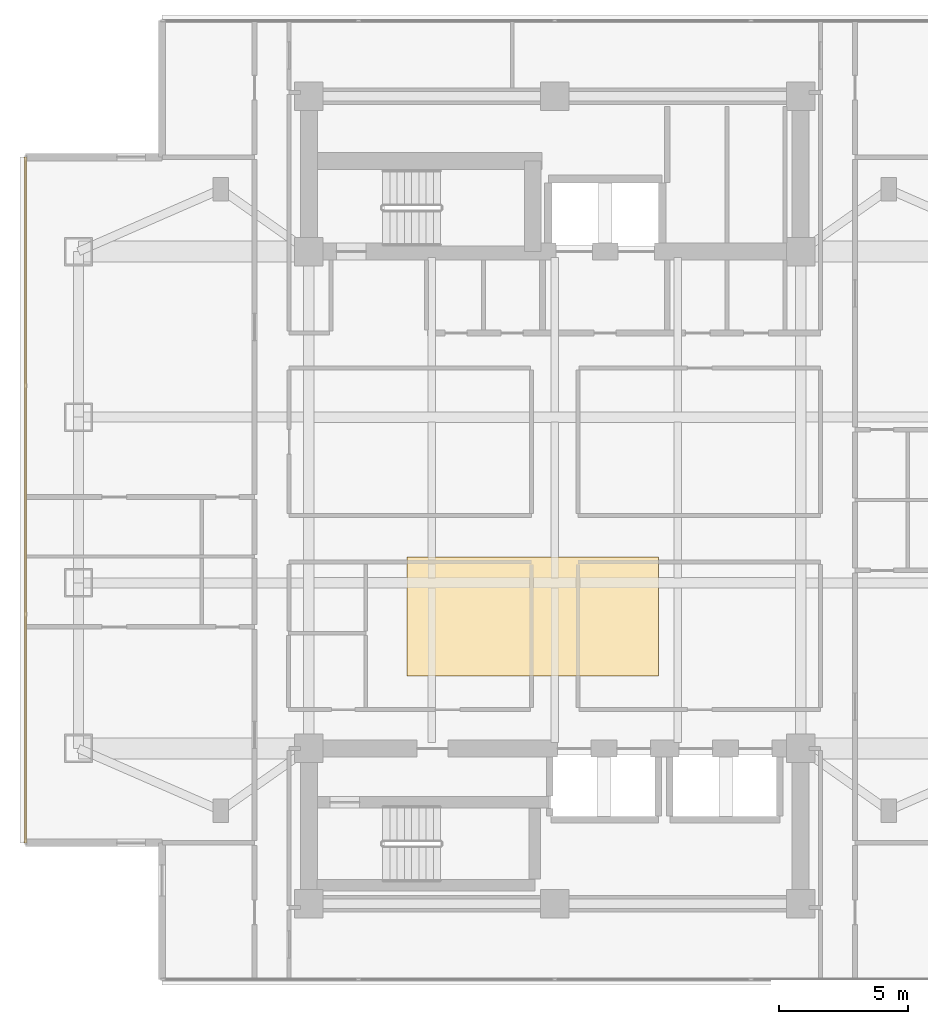
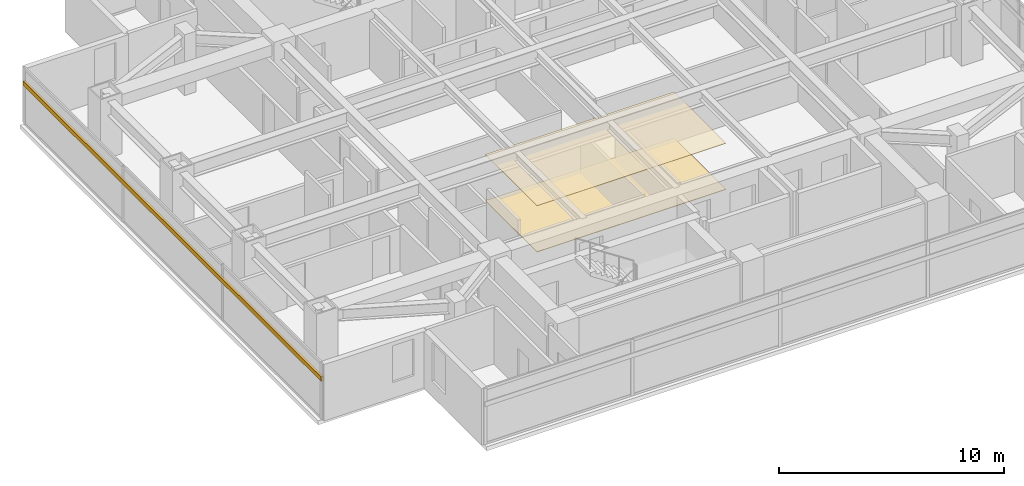
# One storey, part 22 of 27: 2 coverings, 1 shading device.
"""IFC4 building model written with IfcOpenShell, lengths in metres."""

from ifc_helpers import new_model, si_unit, direction, frame, origin, origin_2d, place, context, subcontext, project, spatial, polyline, rectangle, outline, extrude, material, layer, layer_set, material_profile, profile_set, type_object, element, save


model = new_model("IFC4")

# Units and contexts
model_context = context("Model", 3, precision=1e-05, world=origin(), true_north=direction((0.0, 1.0)))
body_context = subcontext(model_context, "Body", "Model", "MODEL_VIEW")
ifc_project = project(units=[si_unit("LENGTHUNIT", "METRE"), si_unit("AREAUNIT", "SQUARE_METRE"), si_unit("VOLUMEUNIT", "CUBIC_METRE"), si_unit("PLANEANGLEUNIT", "RADIAN"), si_unit("MASSUNIT", "GRAM", prefix="KILO")], contexts=[model_context])

# Site, building, storey
site_placement = place(None, origin())
site = spatial("IfcSite", under=ifc_project, at=site_placement, CompositionType="ELEMENT")
building_placement = place(site_placement, origin())
building = spatial("IfcBuilding", under=site, at=building_placement, Name="Mirazonda Arch Towers", CompositionType="ELEMENT")
storey_placement = place(building_placement, frame((0.0, 0.0, 124.699951171875)))
storey = spatial("IfcBuildingStorey", under=building, at=storey_placement, Name="L35", CompositionType="ELEMENT", Elevation=124.699951171875)

# Shading device
ifc_material_1 = material(Name="Kiln-Fired Architectural Terracotta", Category="masonry")
ifc_material_profile = material_profile(ifc_material_1, rectangle(XDim=0.1201171875, YDim=0.239990234375, at=origin_2d()), Name="TERRA-BAG-120x240")
ifc_profile_set = profile_set([ifc_material_profile], Name="Kiln-Fired Architectural Terracotta")
shading_device_type = type_object("IfcShadingDeviceType", Name="BAGUETTE-1", PredefinedType="USERDEFINED", material=ifc_profile_set)
shading_device_placement = place(storey_placement, frame((0.06005859375, 41.24609375, 2.203369140625), z_axis=(0.0, -1.0, 0.0), x_axis=(1.0, 0.0, 0.0)))
element("IfcShadingDevice", 1, at=shading_device_placement, inside=storey, type_object=shading_device_type, Name="L35 Glazed Terracotta Sun-Screen Baguette CW-L35-T1-W", ObjectType="BAGUETTE", PredefinedType="USERDEFINED", context=body_context, shape_type="SweptSolid", body=[
    extrude(rectangle(XDim=0.1201171875, YDim=0.239990234375, at=origin_2d()), origin(), (0.0, 0.0, 1.0), 26.4921875),
])

# Coverings
ifc_material_2 = material(Name="Acoustic Mineral Fibre Ceiling")
ifc_layer_1 = layer(ifc_material_2, 0.02490234375, Name="COV-CEIL-ACOUSTIC")
ifc_layer_set_1 = layer_set([ifc_layer_1], Name="Acoustic Mineral Fibre Ceiling")
covering_type_1 = type_object("IfcCoveringType", Name="COV-CEIL-ACOUSTIC", PredefinedType="CEILING", material=ifc_layer_set_1)
covering_1_placement = place(storey_placement, frame((0.0, 0.0, 2.505126953125)))
element("IfcCovering", 2, at=covering_1_placement, inside=storey, type_object=covering_type_1, Name="L35 Suspended Acoustic Ceiling", PredefinedType="CEILING", context=body_context, shape_type="SweptSolid", body=[
    extrude(outline(polyline([(14.800048828125, 21.199951171875), (24.5, 21.199951171875), (24.5, 25.800048828125), (14.800048828125, 25.800048828125), (14.800048828125, 21.199951171875)])), origin(), (0.0, 0.0, 1.0), 0.02490234375),
])
ifc_material_3 = material(Name="Polished Terrazzo Stone Finish", Category="masonry")
ifc_layer_2 = layer(ifc_material_3, 0.030029296875, Name="COV-FLOOR-STONE")
ifc_layer_set_2 = layer_set([ifc_layer_2], Name="Polished Terrazzo Stone Finish")
covering_type_2 = type_object("IfcCoveringType", Name="COV-FLOOR-STONE", PredefinedType="FLOORING", material=ifc_layer_set_2)
covering_2_placement = place(storey_placement, origin())
element("IfcCovering", 3, at=covering_2_placement, inside=storey, type_object=covering_type_2, Name="L35 Polished Terrazzo Lobby Flooring", PredefinedType="FLOORING", context=body_context, shape_type="SweptSolid", body=[
    extrude(outline(polyline([(14.800048828125, 21.199951171875), (24.5, 21.199951171875), (24.5, 25.800048828125), (14.800048828125, 25.800048828125), (14.800048828125, 21.199951171875)])), origin(), (0.0, 0.0, 1.0), 0.030029296875),
])

save(model, "model.ifc")
